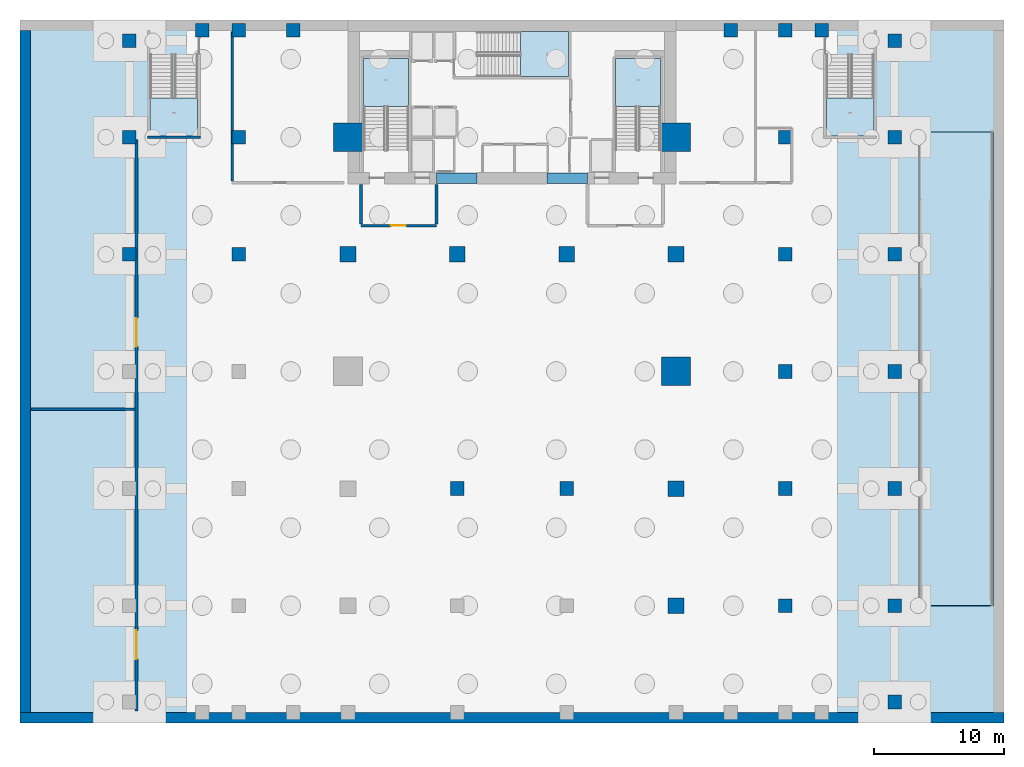
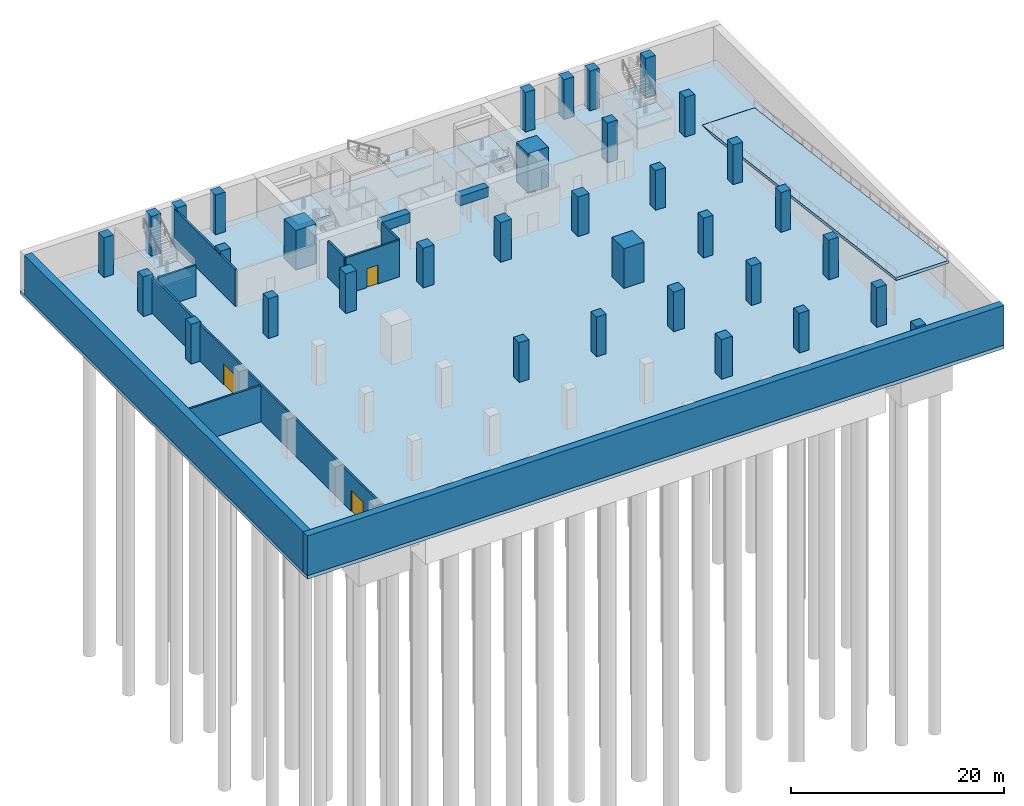
# One storey, part 2 of 9: 34 columns, 9 walls, 7 slabs, 3 doors, 2 beams, 3 openings, 5 elements without a shape of their own.
"""IFC4 building model written with IfcOpenShell, lengths in metres."""

from ifc_helpers import new_model, si_unit, direction, frame, frame_2d, origin, origin_2d, place, context, subcontext, project, spatial, polyline, rectangle, outline, extrude, material, layer, layer_set, material_profile, profile_set, type_object, element, fill, aggregate, save


model = new_model("IFC4")

# Units and contexts
model_context = context("Model", 3, precision=1e-05, world=origin(), true_north=direction((0.0, 1.0)))
body_context = subcontext(model_context, "Body", "Model", "MODEL_VIEW")
ifc_project = project(units=[si_unit("LENGTHUNIT", "METRE"), si_unit("AREAUNIT", "SQUARE_METRE"), si_unit("VOLUMEUNIT", "CUBIC_METRE"), si_unit("PLANEANGLEUNIT", "RADIAN"), si_unit("MASSUNIT", "GRAM", prefix="KILO")], contexts=[model_context])

# Site, building, storey
site_placement = place(None, origin())
site = spatial("IfcSite", under=ifc_project, at=site_placement, CompositionType="ELEMENT")
building_placement = place(site_placement, origin())
building = spatial("IfcBuilding", under=site, at=building_placement, Name="Maruvema Waterfront Hotel and Observation Tower", CompositionType="ELEMENT")
storey_placement = place(building_placement, frame((0.0, 0.0, -9.800048828125)))
storey = spatial("IfcBuildingStorey", under=building, at=storey_placement, Name="B02", CompositionType="ELEMENT", Elevation=-9.800048828125)

# Columns
ifc_material_1 = material(Name="Concrete C80/95", Category="concrete")
ifc_material_profile_1 = material_profile(ifc_material_1, rectangle(XDim=2.199951171875, YDim=2.199951171875, at=origin_2d()), Name="MC2200x2200")
ifc_profile_set_1 = profile_set([ifc_material_profile_1], Name="Concrete C80/95")
column_type_1 = type_object("IfcColumnType", Name="Continuous Mega-Column MC2200x2200", PredefinedType="COLUMN", material=ifc_profile_set_1)
for number, where, z_axis, x_axis, name in (
    (1, (50.39990234375, 27.0, -0.39990234375), (0.0, 0.0, 1.0), (1.0, 0.0, 0.0), "B02 Continuous Mega-Column MC-02"),
    (2, (25.199951171875, 45.0, -0.39990234375), (0.0, 0.0, 1.0), (1.0, 0.0, 0.0), "B02 Continuous Mega-Column MC-03"),
    (3, (50.39990234375, 45.0, -0.39990234375), (0.0, 0.0, 1.0), (1.0, 0.0, 0.0), "B02 Continuous Mega-Column MC-04"),
):
    element("IfcColumn", number, at=place(storey_placement, frame(where, z_axis=z_axis, x_axis=x_axis)), inside=storey, type_object=column_type_1, Name=name, PredefinedType="COLUMN", context=body_context, shape_type="SweptSolid", body=[
        extrude(rectangle(XDim=2.199951171875, YDim=2.199951171875, at=origin_2d()), origin(), (0.0, 0.0, 1.0), 4.949951171875),
    ])
ifc_material_2 = material(Name="Concrete C60/75", Category="concrete")
ifc_material_profile_2 = material_profile(ifc_material_2, rectangle(XDim=1.050048828125, YDim=1.050048828125, at=origin_2d()), Name="RC1050x1050")
ifc_profile_set_2 = profile_set([ifc_material_profile_2], Name="Concrete C60/75")
column_type_2 = type_object("IfcColumnType", Name="Reinforced Concrete Column RC1050x1050", PredefinedType="COLUMN", material=ifc_profile_set_2)
for number, where, z_axis, x_axis, name in (
    (4, (33.60009765625, 18.0, -0.39990234375), (0.0, 0.0, 1.0), (1.0, 0.0, 0.0), "B02 Column C-5C"),
    (5, (42.0, 18.0, -0.39990234375), (0.0, 0.0, 1.0), (1.0, 0.0, 0.0), "B02 Column C-6C"),
    (6, (58.800048828125, 9.0, -0.39990234375), (0.0, 0.0, 1.0), (1.0, 0.0, 0.0), "B02 Column C-8Y9"),
    (7, (58.800048828125, 18.0, -0.39990234375), (0.0, 0.0, 1.0), (1.0, 0.0, 0.0), "B02 Column C-8Y18"),
    (8, (58.800048828125, 27.0, -0.39990234375), (0.0, 0.0, 1.0), (1.0, 0.0, 0.0), "B02 Column C-8Y27"),
    (9, (16.800048828125, 36.0, -0.39990234375), (0.0, 0.0, 1.0), (1.0, 0.0, 0.0), "B02 Column C-3Y36"),
    (10, (58.800048828125, 36.0, -0.39990234375), (0.0, 0.0, 1.0), (1.0, 0.0, 0.0), "B02 Column C-8Y36"),
    (11, (16.800048828125, 45.0, -0.39990234375), (0.0, 0.0, 1.0), (1.0, 0.0, 0.0), "B02 Column C-3Y45"),
    (12, (58.800048828125, 45.0, -0.39990234375), (0.0, 0.0, 1.0), (1.0, 0.0, 0.0), "B02 Column C-8Y45"),
    (13, (67.199951171875, 1.60009765625, -0.39990234375), (0.0, 0.0, 1.0), (1.0, 0.0, 0.0), "B02 Column C-9A"),
    (14, (67.199951171875, 9.0, -0.39990234375), (0.0, 0.0, 1.0), (1.0, 0.0, 0.0), "B02 Column C-9B"),
    (15, (67.199951171875, 18.0, -0.39990234375), (0.0, 0.0, 1.0), (1.0, 0.0, 0.0), "B02 Column C-9C"),
    (16, (67.199951171875, 27.0, -0.39990234375), (0.0, 0.0, 1.0), (1.0, 0.0, 0.0), "B02 Column C-9D"),
    (17, (8.39990234375, 36.0, -0.39990234375), (0.0, 0.0, 1.0), (1.0, 0.0, 0.0), "B02 Column C-2E"),
    (18, (67.199951171875, 36.0, -0.39990234375), (0.0, 0.0, 1.0), (1.0, 0.0, 0.0), "B02 Column C-9E"),
    (19, (8.39990234375, 45.0, -0.39990234375), (0.0, 0.0, 1.0), (1.0, 0.0, 0.0), "B02 Column C-2F"),
    (20, (67.199951171875, 45.0, -0.39990234375), (0.0, 0.0, 1.0), (1.0, 0.0, 0.0), "B02 Column C-9F"),
    (21, (8.39990234375, 52.39990234375, -0.39990234375), (0.0, 0.0, 1.0), (1.0, 0.0, 0.0), "B02 Column C-2G"),
    (22, (67.199951171875, 52.39990234375, -0.39990234375), (0.0, 0.0, 1.0), (1.0, 0.0, 0.0), "B02 Column C-9G"),
    (23, (16.800048828125, 53.199951171875, -0.39990234375), (0.0, 0.0, 1.0), (1.0, 0.0, 0.0), "B02 Column C-3G"),
    (24, (58.800048828125, 53.199951171875, -0.39990234375), (0.0, 0.0, 1.0), (1.0, 0.0, 0.0), "B02 Column C-8G"),
    (25, (14.0, 53.199951171875, -0.39990234375), (0.0, 0.0, 1.0), (1.0, 0.0, 0.0), "B02 Column PL-N1"),
    (26, (21.0, 53.199951171875, -0.39990234375), (0.0, 0.0, 1.0), (1.0, 0.0, 0.0), "B02 Column PL-N2"),
    (27, (54.60009765625, 53.199951171875, -0.39990234375), (0.0, 0.0, 1.0), (1.0, 0.0, 0.0), "B02 Column PL-N3"),
    (28, (61.60009765625, 53.199951171875, -0.39990234375), (0.0, 0.0, 1.0), (1.0, 0.0, 0.0), "B02 Column PL-N4"),
):
    element("IfcColumn", number, at=place(storey_placement, frame(where, z_axis=z_axis, x_axis=x_axis)), inside=storey, type_object=column_type_2, Name=name, PredefinedType="COLUMN", context=body_context, shape_type="SweptSolid", body=[
        extrude(rectangle(XDim=1.050048828125, YDim=1.050048828125, at=origin_2d()), origin(), (0.0, 0.0, 1.0), 4.949951171875),
    ])
ifc_material_3 = material(Name="Concrete C60/75", Category="concrete")
ifc_material_profile_3 = material_profile(ifc_material_3, rectangle(XDim=1.199951171875, YDim=1.199951171875, at=origin_2d()), Name="RC1200x1200")
ifc_profile_set_3 = profile_set([ifc_material_profile_3], Name="Concrete C60/75")
column_type_3 = type_object("IfcColumnType", Name="Reinforced Concrete Column RC1200x1200", PredefinedType="COLUMN", material=ifc_profile_set_3)
for number, where, z_axis, x_axis, name in (
    (29, (25.199951171875, 36.0, -0.39990234375), (0.0, 0.0, 1.0), (1.0, 0.0, 0.0), "B02 Column C-4E"),
    (30, (33.60009765625, 36.0, -0.39990234375), (0.0, 0.0, 1.0), (1.0, 0.0, 0.0), "B02 Column C-5E"),
    (31, (42.0, 36.0, -0.39990234375), (0.0, 0.0, 1.0), (1.0, 0.0, 0.0), "B02 Column C-6E"),
    (32, (50.39990234375, 36.0, -0.39990234375), (0.0, 0.0, 1.0), (1.0, 0.0, 0.0), "B02 Column C-7E"),
    (33, (50.39990234375, 18.0, -0.39990234375), (0.0, 0.0, 1.0), (1.0, 0.0, 0.0), "B02 Column C-7C"),
    (34, (50.39990234375, 9.0, -0.39990234375), (0.0, 0.0, 1.0), (1.0, 0.0, 0.0), "B02 Column C-7B"),
):
    element("IfcColumn", number, at=place(storey_placement, frame(where, z_axis=z_axis, x_axis=x_axis)), inside=storey, type_object=column_type_3, Name=name, PredefinedType="COLUMN", context=body_context, shape_type="SweptSolid", body=[
        extrude(rectangle(XDim=1.199951171875, YDim=1.199951171875, at=origin_2d()), origin(), (0.0, 0.0, 1.0), 4.949951171875),
    ])

# Beams
ifc_material_4 = material(Name="Concrete C60/75", Category="concrete")
ifc_material_profile_4 = material_profile(ifc_material_4, rectangle(XDim=0.800048828125, YDim=1.10009765625, at=origin_2d()), Name="CB800x1100")
ifc_profile_set_4 = profile_set([ifc_material_profile_4], Name="Concrete C60/75")
beam_type = type_object("IfcBeamType", Name="Core Coupling Lintel Beam CB800x1100", PredefinedType="LINTEL", material=ifc_profile_set_4)
for number, where, z_axis, x_axis, name in (
    (35, (32.0, 41.85009765625, 3.650146484375), (1.0, 0.0, 0.0), (0.0, 1.0, 0.0), "B02 Core Coupling Lintel Beam West"),
    (36, (40.5, 41.85009765625, 3.650146484375), (1.0, 0.0, 0.0), (0.0, 1.0, 0.0), "B02 Core Coupling Lintel Beam East"),
):
    element("IfcBeam", number, at=place(storey_placement, frame(where, z_axis=z_axis, x_axis=x_axis)), inside=storey, type_object=beam_type, Name=name, PredefinedType="LINTEL", context=body_context, shape_type="SweptSolid", body=[
        extrude(rectangle(XDim=0.800048828125, YDim=1.10009765625, at=origin_2d()), origin(), (0.0, 0.0, 1.0), 3.10009765625),
    ])

# Slab
ifc_material_5 = material(Name="Concrete C60/75", Category="concrete")
ifc_layer_1 = layer(ifc_material_5, 0.39990234375, Name="Basement Structural Base Slab 400 mm")
ifc_layer_set_1 = layer_set([ifc_layer_1], Name="Concrete C60/75")
slab_type_1 = type_object("IfcSlabType", Name="Basement Structural Base Slab 400 mm", PredefinedType="BASESLAB", material=ifc_layer_set_1)
slab_1_placement = place(storey_placement, frame((0.0, 0.0, -0.39990234375)))
element("IfcSlab", 37, at=slab_1_placement, inside=storey, type_object=slab_type_1, Name="B02 Structural Floor Slab", PredefinedType="BASESLAB", context=body_context, shape_type="SweptSolid", body=[
    extrude(outline(polyline([(0.0, 0.0), (75.60009765625, 0.0), (75.60009765625, 54.0), (0.0, 54.0), (0.0, 0.0)]), holes=[polyline([(69.0400390625, 42.949951171875), (74.760009765625, 42.949951171875), (74.760009765625, 45.409912109375), (69.0400390625, 45.409912109375), (69.0400390625, 42.949951171875)])]), origin(), (0.0, 0.0, 1.0), 0.39990234375),
])

# Stair, slab
ifc_material_6 = material(Name="Concrete C50/60", Category="concrete")
stair_type_1 = type_object("IfcStairType", Name="Dogleg Exit Stair 1650 mm (26R x 175.0 mm)", PredefinedType="HALF_TURN_STAIR", material=ifc_material_6)
stair_1_placement = place(storey_placement, origin())
stair_1 = element("IfcStair", 38, at=stair_1_placement, inside=storey, type_object=stair_type_1, Name="B02 ST-01", PredefinedType="HALF_TURN_STAIR")
ifc_material_7 = material(Name="Concrete C50/60", Category="concrete")
ifc_layer_2 = layer(ifc_material_7, 0.219970703125, Name="Stair Concrete Landing Slab 220 mm")
ifc_layer_set_2 = layer_set([ifc_layer_2], Name="Concrete C50/60")
slab_type_2 = type_object("IfcSlabType", Name="Stair Concrete Landing Slab 220 mm", PredefinedType="LANDING", material=ifc_layer_set_2)
slab_2_placement = place(storey_placement, frame((0.0, 0.0, 2.054931640625)))
slab_2 = element("IfcSlab", 39, at=slab_2_placement, type_object=slab_type_2, Name="ST-01 landing 1", PredefinedType="LANDING", context=body_context, shape_type="SweptSolid", body=[
    extrude(outline(polyline([(29.85009765625, 47.360107421875), (29.85009765625, 51.050048828125), (26.39990234375, 51.050048828125), (26.39990234375, 47.360107421875), (29.85009765625, 47.360107421875)])), origin(), (0.0, 0.0, 1.0), 0.22021484375),
])
aggregate(stair_1, [slab_2])

stair_2_placement = place(storey_placement, origin())
stair_2 = element("IfcStair", 40, at=stair_2_placement, inside=storey, type_object=stair_type_1, Name="B02 ST-02", PredefinedType="HALF_TURN_STAIR")
slab_3_placement = place(storey_placement, frame((0.0, 0.0, 2.054931640625)))
slab_3 = element("IfcSlab", 41, at=slab_3_placement, type_object=slab_type_2, Name="ST-02 landing 1", PredefinedType="LANDING", context=body_context, shape_type="SweptSolid", body=[
    extrude(outline(polyline([(38.4599609375, 49.64990234375), (42.14990234375, 49.64990234375), (42.14990234375, 53.10009765625), (38.4599609375, 53.10009765625), (38.4599609375, 49.64990234375)])), origin(), (0.0, 0.0, 1.0), 0.22021484375),
])
aggregate(stair_2, [slab_3])

stair_3_placement = place(storey_placement, origin())
stair_3 = element("IfcStair", 42, at=stair_3_placement, inside=storey, type_object=stair_type_1, Name="B02 ST-03", PredefinedType="HALF_TURN_STAIR")
slab_4_placement = place(storey_placement, frame((0.0, 0.0, 2.054931640625)))
slab_4 = element("IfcSlab", 43, at=slab_4_placement, type_object=slab_type_2, Name="ST-03 landing 1", PredefinedType="LANDING", context=body_context, shape_type="SweptSolid", body=[
    extrude(outline(polyline([(49.199951171875, 47.360107421875), (49.199951171875, 51.050048828125), (45.75, 51.050048828125), (45.75, 47.360107421875), (49.199951171875, 47.360107421875)])), origin(), (0.0, 0.0, 1.0), 0.22021484375),
])
aggregate(stair_3, [slab_4])

ifc_material_8 = material(Name="Concrete C50/60", Category="concrete")
stair_type_2 = type_object("IfcStairType", Name="Dogleg Exit Stair 1750 mm (26R x 175.0 mm)", PredefinedType="HALF_TURN_STAIR", material=ifc_material_8)
stair_4_placement = place(storey_placement, origin())
stair_4 = element("IfcStair", 44, at=stair_4_placement, inside=storey, type_object=stair_type_2, Name="B02 ST-04", PredefinedType="HALF_TURN_STAIR")
slab_5_placement = place(storey_placement, frame((0.0, 0.0, 2.054931640625)))
slab_5 = element("IfcSlab", 45, at=slab_5_placement, type_object=slab_type_2, Name="ST-04 landing 1", PredefinedType="LANDING", context=body_context, shape_type="SweptSolid", body=[
    extrude(outline(polyline([(10.0, 47.989990234375), (10.0, 45.10009765625), (13.64990234375, 45.10009765625), (13.64990234375, 47.989990234375), (10.0, 47.989990234375)])), origin(), (0.0, 0.0, 1.0), 0.22021484375),
])
aggregate(stair_4, [slab_5])

stair_5_placement = place(storey_placement, origin())
stair_5 = element("IfcStair", 46, at=stair_5_placement, inside=storey, type_object=stair_type_2, Name="B02 ST-05", PredefinedType="HALF_TURN_STAIR")
slab_6_placement = place(storey_placement, frame((0.0, 0.0, 2.054931640625)))
slab_6 = element("IfcSlab", 47, at=slab_6_placement, type_object=slab_type_2, Name="ST-05 landing 1", PredefinedType="LANDING", context=body_context, shape_type="SweptSolid", body=[
    extrude(outline(polyline([(61.949951171875, 47.989990234375), (61.949951171875, 45.10009765625), (65.60009765625, 45.10009765625), (65.60009765625, 47.989990234375), (61.949951171875, 47.989990234375)])), origin(), (0.0, 0.0, 1.0), 0.22021484375),
])
aggregate(stair_5, [slab_6])

# Slab
ifc_material_9 = material(Name="Concrete C50/60", Category="concrete")
ifc_layer_3 = layer(ifc_material_9, 0.300048828125, Name="Two-Way Vehicle Ramp Structural Slab 300 mm")
ifc_layer_set_3 = layer_set([ifc_layer_3], Name="Concrete C50/60")
slab_type_3 = type_object("IfcSlabType", Name="Two-Way Vehicle Ramp Structural Slab 300 mm", PredefinedType="FLOOR", material=ifc_layer_set_3)
slab_7_placement = place(storey_placement, frame((69.050048828125, 45.39990234375, 0.0), z_axis=(0.0, 0.124036372837, 0.992277671931), x_axis=(1.0, 0.0, 0.0)))
element("IfcSlab", 48, at=slab_7_placement, inside=storey, type_object=slab_type_3, Name="Lower Basement Two-Way Vehicle Ramp Structural Slab RMP-02", PredefinedType="FLOOR", context=body_context, shape_type="SweptSolid", body=[
    extrude(outline(polyline([(0.0, 0.0), (5.699951171875, 0.0), (5.699951171875, -36.68318190905552), (0.0, -36.68318190905552), (0.0, 0.0)])), origin(), (0.0, 0.0, -1.0), 0.300048828125),
])

# Walls
ifc_material_10 = material(Name="Concrete C60/75", Category="concrete")
ifc_layer_4 = layer(ifc_material_10, 0.800048828125, Name="Basement Retaining Diaphragm Wall 800 mm")
ifc_layer_set_4 = layer_set([ifc_layer_4], Name="Concrete C60/75")
wall_type_1 = type_object("IfcWallType", Name="Basement Retaining Diaphragm Wall 800 mm", PredefinedType="USERDEFINED", material=ifc_layer_set_4)
wall_1_placement = place(storey_placement, frame((0.0, 0.39990234375, 0.0), z_axis=(0.0, 0.0, 1.0), x_axis=(1.0, 0.0, 0.0)))
element("IfcWall", 49, at=wall_1_placement, inside=storey, type_object=wall_type_1, Name="B02 South Retaining Diaphragm Wall 800 mm", ObjectType="RETAINING WALL", PredefinedType="USERDEFINED", context=body_context, shape_type="SweptSolid", body=[
    extrude(rectangle(XDim=75.60009765625, YDim=0.800048828125, at=frame_2d((37.800048828125, 0.0))), origin(), (0.0, 0.0, 1.0), 4.550048828125),
])
wall_2_placement = place(storey_placement, frame((0.39990234375, 0.800048828125, 0.0), z_axis=(0.0, 0.0, 1.0), x_axis=(0.0, 1.0, 0.0)))
element("IfcWall", 50, at=wall_2_placement, inside=storey, type_object=wall_type_1, Name="B02 West Retaining Diaphragm Wall 800 mm", ObjectType="RETAINING WALL", PredefinedType="USERDEFINED", context=body_context, shape_type="SweptSolid", body=[
    extrude(rectangle(XDim=52.39990234375, YDim=0.800048828125, at=frame_2d((26.199951171875, 0.0))), origin(), (0.0, 0.0, 1.0), 4.550048828125),
])
ifc_material_11 = material(Name="Precast concrete C45/55", Category="concrete")
ifc_layer_5 = layer(ifc_material_11, 0.199951171875, Name="Core Shaft and Stairwell Enclosure Wall 200 mm")
ifc_layer_set_5 = layer_set([ifc_layer_5], Name="Precast concrete C45/55")
wall_type_2 = type_object("IfcWallType", Name="Core Shaft and Stairwell Enclosure Wall 200 mm", PredefinedType="SOLIDWALL", material=ifc_layer_set_5)
wall_3_placement = place(storey_placement, frame((9.800048828125, 45.0, 0.0), z_axis=(0.0, 0.0, 1.0), x_axis=(1.0, 0.0, 0.0)))
element("IfcWall", 51, at=wall_3_placement, inside=storey, type_object=wall_type_2, Name="B02 Stairwell ST-04 Shaft Wall", PredefinedType="SOLIDWALL", context=body_context, shape_type="SweptSolid", body=[
    extrude(rectangle(XDim=4.050048828125, YDim=0.199951171875, at=frame_2d((2.02490234375, 0.0))), origin(), (0.0, 0.0, 1.0), 3.56494140625),
])

# Wall, opening, door
ifc_material_12 = material(Name="Autoclaved cellular concrete blockwork", Category="masonry")
ifc_layer_6 = layer(ifc_material_12, 0.199951171875, Name="Fire Compartment Masonry Wall 200 mm")
ifc_layer_set_6 = layer_set([ifc_layer_6], Name="Autoclaved cellular concrete blockwork")
wall_type_3 = type_object("IfcWallType", Name="Fire Compartment Masonry Wall 200 mm", PredefinedType="PARTITIONING", material=ifc_layer_set_6)
wall_4_placement = place(storey_placement, frame((26.199951171875, 38.199951171875, 0.0), z_axis=(0.0, 0.0, 1.0), x_axis=(1.0, 0.0, 0.0)))
wall_4 = element("IfcWall", 52, at=wall_4_placement, inside=storey, type_object=wall_type_3, Name="B02 FFL West South Wall 001", PredefinedType="PARTITIONING", context=body_context, shape_type="SweptSolid", body=[
    extrude(rectangle(XDim=5.800048828125, YDim=0.199951171875, at=frame_2d((2.89990234375, 0.0))), origin(), (0.0, 0.0, 1.0), 4.199951171875),
])
opening_1_placement = place(wall_4_placement, frame((2.300048828125, 0.0, 0.0)))
opening_1 = element("IfcOpeningElement", 53, at=opening_1_placement, cuts=wall_4, Name="Opening FD-115", PredefinedType="OPENING", context=body_context, shape_type="SweptSolid", body=[
    extrude(rectangle(XDim=1.14990234375, YDim=2.14990234375, at=frame_2d((0.574951171875, 1.074951171875))), frame((0.0, 0.10986328125, 0.0), z_axis=(0.0, -1.0, 0.0), x_axis=(1.0, 0.0, 0.0)), (0.0, 0.0, 1.0), 0.219970703125),
])
ifc_material_13 = material(Name="Fire-rated galvanised steel and vision glass", Category="steel")
door_type_1 = type_object("IfcDoorType", Name="Firefighting Lobby Fire Door 1150x2150 mm", OperationType="NOTDEFINED", PredefinedType="DOOR", material=ifc_material_13)
door_1_placement = place(opening_1_placement, frame((1.14990234375, 0.0, 0.0), z_axis=(0.0, 0.0, 1.0), x_axis=(-1.0, 0.0, 0.0)))
door_1 = element("IfcDoor", 54, at=door_1_placement, inside=storey, type_object=door_type_1, Name="B02 Firefighting Lobby West Door", OperationType="SINGLE_SWING_RIGHT", OverallHeight=2.14990234375, OverallWidth=1.14990234375, PredefinedType="DOOR", context=body_context, shape_type="SweptSolid", body=[
    extrude(rectangle(XDim=1.14990234375, YDim=2.14990234375, at=frame_2d((0.574951171875, 1.074951171875))), frame((0.0, 0.02490234375, 0.0), z_axis=(0.0, -1.0, 0.0), x_axis=(1.0, 0.0, 0.0)), (0.0, 0.0, 1.0), 0.050048828125),
])
fill(opening_1, door_1)

# Walls
for number, where, z_axis, x_axis, name in (
    (55, (26.199951171875, 38.31005859375, 0.0), (0.0, 0.0, 1.0), (0.0, 1.0, 0.0), "B02 FFL West West Wall 002"),
    (56, (32.0, 38.31005859375, 0.0), (0.0, 0.0, 1.0), (0.0, 1.0, 0.0), "B02 FFL West East Wall 003"),
):
    element("IfcWall", number, at=place(storey_placement, frame(where, z_axis=z_axis, x_axis=x_axis)), inside=storey, type_object=wall_type_3, Name=name, PredefinedType="PARTITIONING", context=body_context, shape_type="SweptSolid", body=[
        extrude(rectangle(XDim=3.06982421875, YDim=0.199951171875, at=frame_2d((1.534912109375, 0.0))), origin(), (0.0, 0.0, 1.0), 4.199951171875),
    ])

# Wall, openings, doors
wall_5_placement = place(storey_placement, frame((8.949951171875, 0.89990234375, 0.0), z_axis=(0.0, 0.0, 1.0), x_axis=(0.0, 1.0, 0.0)))
wall_5 = element("IfcWall", 57, at=wall_5_placement, inside=storey, type_object=wall_type_3, Name="B02 B02 West Plant Wall 018", PredefinedType="PARTITIONING", context=body_context, shape_type="SweptSolid", body=[
    extrude(rectangle(XDim=43.900146484375, YDim=0.199951171875, at=frame_2d((21.9501953125, 0.0))), origin(), (0.0, 0.0, 1.0), 4.199951171875),
])
opening_2_placement = place(wall_5_placement, frame((4.0, 0.0, 0.0)))
opening_2 = element("IfcOpeningElement", 58, at=opening_2_placement, cuts=wall_5, Name="Opening DG-03", PredefinedType="OPENING", context=body_context, shape_type="SweptSolid", body=[
    extrude(rectangle(XDim=2.199951171875, YDim=2.39990234375, at=frame_2d((1.10009765625, 1.199951171875))), frame((0.0, 0.10986328125, 0.0), z_axis=(0.0, -1.0, 0.0), x_axis=(1.0, 0.0, 0.0)), (0.0, 0.0, 1.0), 0.219970703125),
])
opening_3_placement = place(wall_5_placement, frame((28.0, 0.0, 0.0)))
opening_3 = element("IfcOpeningElement", 59, at=opening_3_placement, cuts=wall_5, Name="Opening DG-03", PredefinedType="OPENING", context=body_context, shape_type="SweptSolid", body=[
    extrude(rectangle(XDim=2.199951171875, YDim=2.39990234375, at=frame_2d((1.10009765625, 1.199951171875))), frame((0.0, 0.10986328125, 0.0), z_axis=(0.0, -1.0, 0.0), x_axis=(1.0, 0.0, 0.0)), (0.0, 0.0, 1.0), 0.219970703125),
])
ifc_material_14 = material(Name="Powder-coated galvanised steel", Category="steel")
door_type_2 = type_object("IfcDoorType", Name="Plant Room Double Equipment Gate 2200x2400 mm", OperationType="DOUBLE_DOOR_SINGLE_SWING", PredefinedType="GATE", material=ifc_material_14)
door_2_placement = place(opening_2_placement, frame((2.199951171875, 0.0, 0.0), z_axis=(0.0, 0.0, 1.0), x_axis=(-1.0, 0.0, 0.0)))
door_2 = element("IfcDoor", 60, at=door_2_placement, inside=storey, type_object=door_type_2, Name="B02 Chiller Plant Gate", OperationType="DOUBLE_DOOR_SINGLE_SWING", OverallHeight=2.39990234375, OverallWidth=2.199951171875, PredefinedType="GATE", context=body_context, shape_type="SweptSolid", body=[
    extrude(rectangle(XDim=2.199951171875, YDim=2.39990234375, at=frame_2d((1.10009765625, 1.199951171875))), frame((0.0, 0.02490234375, 0.0), z_axis=(0.0, -1.0, 0.0), x_axis=(1.0, 0.0, 0.0)), (0.0, 0.0, 1.0), 0.050048828125),
])
fill(opening_2, door_2)
door_3_placement = place(opening_3_placement, frame((2.199951171875, 0.0, 0.0), z_axis=(0.0, 0.0, 1.0), x_axis=(-1.0, 0.0, 0.0)))
door_3 = element("IfcDoor", 61, at=door_3_placement, inside=storey, type_object=door_type_2, Name="B02 Water Tank Gate", OperationType="DOUBLE_DOOR_SINGLE_SWING", OverallHeight=2.39990234375, OverallWidth=2.199951171875, PredefinedType="GATE", context=body_context, shape_type="SweptSolid", body=[
    extrude(rectangle(XDim=2.199951171875, YDim=2.39990234375, at=frame_2d((1.10009765625, 1.199951171875))), frame((0.0, 0.02490234375, 0.0), z_axis=(0.0, -1.0, 0.0), x_axis=(1.0, 0.0, 0.0)), (0.0, 0.0, 1.0), 0.050048828125),
])
fill(opening_3, door_3)

# Walls
wall_6_placement = place(storey_placement, frame((0.85009765625, 24.10009765625, 0.0), z_axis=(0.0, 0.0, 1.0), x_axis=(1.0, 0.0, 0.0)))
element("IfcWall", 62, at=wall_6_placement, inside=storey, type_object=wall_type_3, Name="B02 B02 Plant Split 019", PredefinedType="PARTITIONING", context=body_context, shape_type="SweptSolid", body=[
    extrude(rectangle(XDim=7.989990234375, YDim=0.199951171875, at=frame_2d((3.9951171875, 0.0))), origin(), (0.0, 0.0, 1.0), 4.199951171875),
])
wall_7_placement = place(storey_placement, frame((16.300048828125, 41.6201171875, 0.0), z_axis=(0.0, 0.0, 1.0), x_axis=(0.0, 1.0, 0.0)))
element("IfcWall", 63, at=wall_7_placement, inside=storey, type_object=wall_type_3, Name="B02 B02 NW Plant West Wall 021", PredefinedType="PARTITIONING", context=body_context, shape_type="SweptSolid", body=[
    extrude(rectangle(XDim=11.47998046875, YDim=0.199951171875, at=frame_2d((5.739990234375, 0.0))), origin(), (0.0, 0.0, 1.0), 4.199951171875),
])

save(model, "model.ifc")
